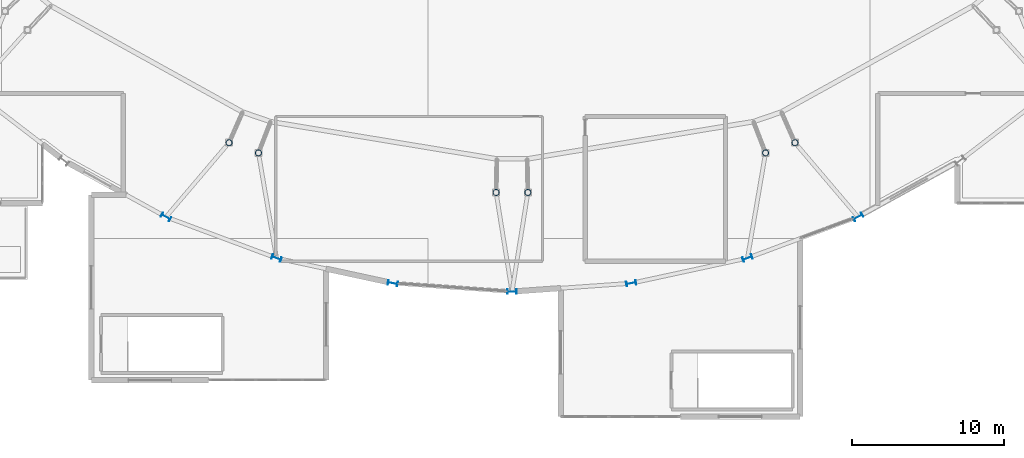
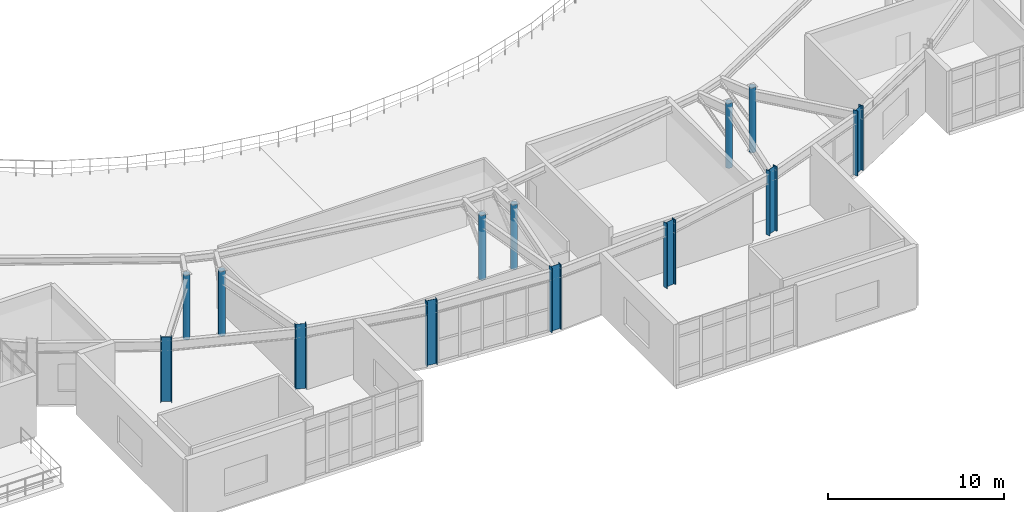
# One storey, part 4 of 48: 13 columns.
"""IFC4 building model written with IfcOpenShell, lengths in metres."""

from ifc_helpers import new_model, si_unit, direction, frame, origin, origin_2d, place, context, subcontext, project, spatial, hollow_circle, i_section, extrude, material, material_profile, profile_set, type_object, element, save


model = new_model("IFC4")

# Units and contexts
model_context = context("Model", 3, precision=1e-05, world=origin(), true_north=direction((0.0, 1.0)))
body_context = subcontext(model_context, "Body", "Model", "MODEL_VIEW")
ifc_project = project(units=[si_unit("LENGTHUNIT", "METRE"), si_unit("AREAUNIT", "SQUARE_METRE"), si_unit("VOLUMEUNIT", "CUBIC_METRE"), si_unit("PLANEANGLEUNIT", "RADIAN"), si_unit("MASSUNIT", "GRAM", prefix="KILO")], contexts=[model_context])

# Site, building, storey
site_placement = place(None, origin())
site = spatial("IfcSite", under=ifc_project, at=site_placement, CompositionType="ELEMENT")
building_placement = place(site_placement, origin())
building = spatial("IfcBuilding", under=site, at=building_placement, Name="Glasvene Arena", CompositionType="ELEMENT")
storey_placement = place(building_placement, frame((0.0, 0.0, 19.5)))
storey = spatial("IfcBuildingStorey", under=building, at=storey_placement, Name="L04", CompositionType="ELEMENT", Elevation=19.5)

# Columns
ifc_material = material(Name="Steel S355J2", Category="steel")
ifc_material_profile_1 = material_profile(ifc_material, i_section(OverallWidth=0.300048828125, OverallDepth=0.64990234375, WebThickness=0.01611328125, FlangeThickness=0.031005859375, FilletRadius=0.027099609375, at=origin_2d()), Name="HEB 650")
ifc_profile_set_1 = profile_set([ifc_material_profile_1], Name="Steel S355J2")
column_type_1 = type_object("IfcColumnType", Name="COL-RING-HEB650", PredefinedType="COLUMN", material=ifc_profile_set_1)
for number, where, z_axis, x_axis, name in (
    (1, (69.300537109375, 32.90478515625, 0.0), (0.0, 0.0, 1.0), (-0.492727341548, -0.87018375467, 0.0), "Bowl ring column R28 L04"),
    (2, (76.54931640625, 30.202392578125, 0.0), (0.0, 0.0, 1.0), (-0.339558864524, -0.94058480613, 0.0), "Bowl ring column R29 L04"),
    (3, (84.17822265625, 28.553955078125, 0.0), (0.0, 0.0, 1.0), (-0.173304404339, -0.984868307662, 0.0), "Bowl ring column R30 L04"),
    (4, (92.0, 28.0, 0.0), (0.0, 0.0, 1.0), (0.0, -1.0, 0.0), "Bowl ring column R31 L04"),
    (5, (99.82177734375, 28.553955078125, 0.0), (0.0, 0.0, 1.0), (0.173304404339, -0.984868307662, 0.0), "Bowl ring column R32 L04"),
    (6, (107.45068359375, 30.202392578125, 0.0), (0.0, 0.0, 1.0), (0.339558864524, -0.94058480613, 0.0), "Bowl ring column R33 L04"),
    (7, (114.699462890625, 32.90478515625, 0.0), (0.0, 0.0, 1.0), (0.492727341548, -0.87018375467, 0.0), "Bowl ring column R34 L04"),
):
    element("IfcColumn", number, at=place(storey_placement, frame(where, z_axis=z_axis, x_axis=x_axis)), inside=storey, type_object=column_type_1, Name=name, PredefinedType="COLUMN", context=body_context, shape_type="SweptSolid", body=[
        extrude(i_section(OverallWidth=0.300048828125, OverallDepth=0.64990234375, WebThickness=0.01611328125, FlangeThickness=0.031005859375, FilletRadius=0.027099609375, at=origin_2d()), origin(), (0.0, 0.0, 1.0), 4.5),
    ])
ifc_material_profile_2 = material_profile(ifc_material, hollow_circle(Radius=0.203125, WallThickness=0.01611328125, at=origin_2d()), Name="CHS 406.4x16.0")
ifc_profile_set_2 = profile_set([ifc_material_profile_2], Name="Steel S355J2")
column_type_2 = type_object("IfcColumnType", Name="COL-W-CHS406", PredefinedType="COLUMN", material=ifc_profile_set_2)
for number, where, z_axis, x_axis, name in (
    (8, (73.43701171875, 37.774169921875, 0.0), (0.0, 0.0, 1.0), (1.0, 0.0, 0.0), "Gondola support column L04 11-2"),
    (9, (75.365234375, 37.10546875, 0.0), (0.0, 0.0, 1.0), (1.0, 0.0, 0.0), "Gondola support column L04 12-1"),
    (10, (90.956298828125, 34.510009765625, 0.0), (0.0, 0.0, 1.0), (1.0, 0.0, 0.0), "Gondola support column L04 12-2"),
    (11, (93.043701171875, 34.510009765625, 0.0), (0.0, 0.0, 1.0), (1.0, 0.0, 0.0), "Gondola support column L04 13-1"),
    (12, (108.634765625, 37.10546875, 0.0), (0.0, 0.0, 1.0), (1.0, 0.0, 0.0), "Gondola support column L04 13-2"),
    (13, (110.56298828125, 37.774169921875, 0.0), (0.0, 0.0, 1.0), (1.0, 0.0, 0.0), "Gondola support column L04 14-1"),
):
    element("IfcColumn", number, at=place(storey_placement, frame(where, z_axis=z_axis, x_axis=x_axis)), inside=storey, type_object=column_type_2, Name=name, PredefinedType="COLUMN", context=body_context, shape_type="SweptSolid", body=[
        extrude(hollow_circle(Radius=0.203125, WallThickness=0.01611328125, at=origin_2d()), origin(), (0.0, 0.0, 1.0), 4.5),
    ])

save(model, "model.ifc")
